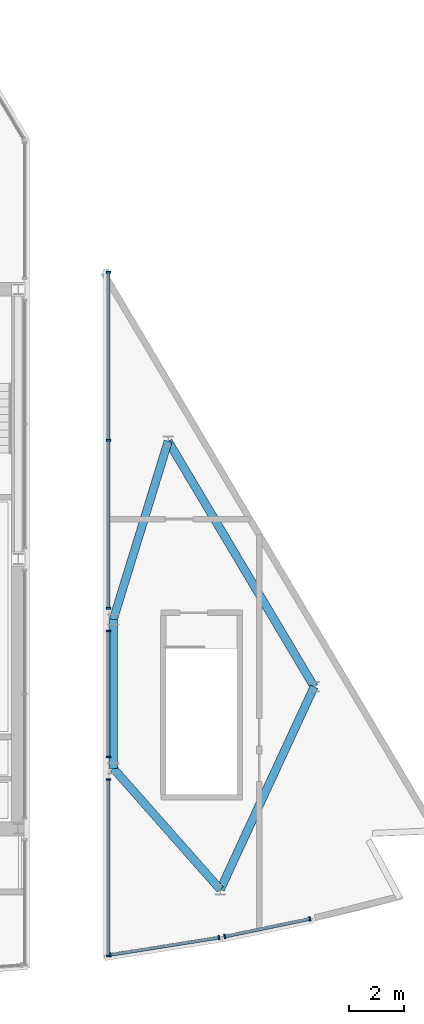
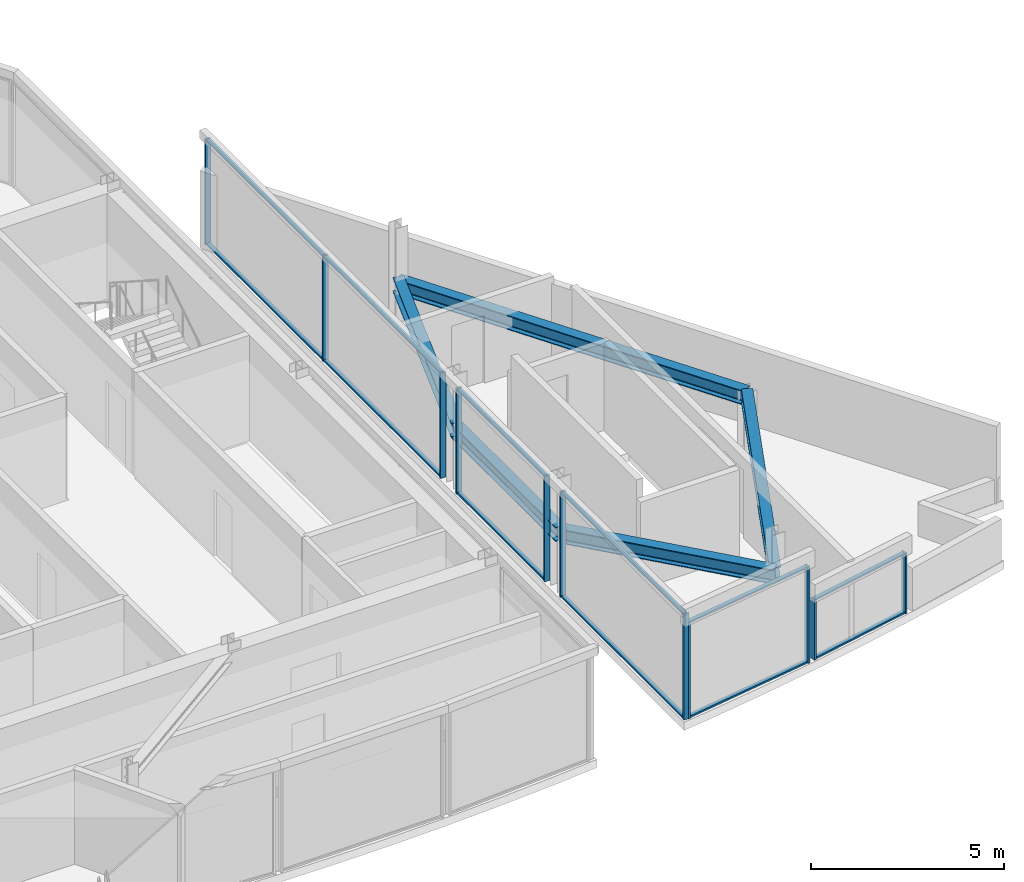
# One storey, part 5 of 13: 23 members, 5 beams, 5 elements without a shape of their own.
"""IFC4 building model written with IfcOpenShell, lengths in metres."""

from ifc_helpers import new_model, si_unit, direction, frame, origin, origin_2d, place, context, subcontext, project, spatial, rectangle, i_section, extrude, material, material_profile, profile_set, type_object, element, aggregate, save


model = new_model("IFC4")

# Units and contexts
model_context = context("Model", 3, precision=1e-05, world=origin(), true_north=direction((0.0, 1.0)))
body_context = subcontext(model_context, "Body", "Model", "MODEL_VIEW")
ifc_project = project(units=[si_unit("LENGTHUNIT", "METRE"), si_unit("AREAUNIT", "SQUARE_METRE"), si_unit("VOLUMEUNIT", "CUBIC_METRE"), si_unit("PLANEANGLEUNIT", "RADIAN"), si_unit("MASSUNIT", "GRAM", prefix="KILO")], contexts=[model_context])

# Site, building, storey
site_placement = place(None, origin())
site = spatial("IfcSite", under=ifc_project, at=site_placement, CompositionType="ELEMENT")
building_placement = place(site_placement, origin())
building = spatial("IfcBuilding", under=site, at=building_placement, Name="Savorim Split Tower", CompositionType="ELEMENT")
storey_placement = place(building_placement, frame((0.0, 0.0, 312.0)))
storey = spatial("IfcBuildingStorey", under=building, at=storey_placement, Name="Crown L83 Plant", CompositionType="ELEMENT", Elevation=312.0)

# Beams
ifc_material_1 = material(Name="Steel S355", Category="steel")
ifc_material_profile_1 = material_profile(ifc_material_1, i_section(OverallWidth=0.300048828125, OverallDepth=0.449951171875, WebThickness=0.013916015625, FlangeThickness=0.02587890625, FilletRadius=0.027099609375, at=origin_2d()), Name="HEB 450")
ifc_profile_set_1 = profile_set([ifc_material_profile_1], Name="Steel S355")
beam_type = type_object("IfcBeamType", Name="BM-PRI-HEB450", PredefinedType="BEAM", material=ifc_profile_set_1)
beam_1_placement = place(storey_placement, frame((11.14990234375, -1.800048828125, 1.694580078125), z_axis=(0.0, -1.0, 0.0), x_axis=(1.0, 0.0, 0.0)))
element("IfcBeam", 1, at=beam_1_placement, inside=storey, type_object=beam_type, Name="Crown L83 Plant East Crown Beam EBG-1", PredefinedType="BEAM", context=body_context, shape_type="SweptSolid", body=[
    extrude(i_section(OverallWidth=0.300048828125, OverallDepth=0.449951171875, WebThickness=0.013916015625, FlangeThickness=0.02587890625, FilletRadius=0.027099609375, at=origin_2d()), origin(), (0.0, 0.0, 1.0), 5.39990234375),
])
beam_2_placement = place(storey_placement, frame((11.14990234375, -7.199951171875, 1.694580078125), z_axis=(0.661950206721, -0.749547812899, 0.0), x_axis=(0.749547812899, 0.661950206721, 0.0)))
element("IfcBeam", 2, at=beam_2_placement, inside=storey, type_object=beam_type, Name="Crown L83 Plant East Crown Beam EBG-2", PredefinedType="BEAM", context=body_context, shape_type="SweptSolid", body=[
    extrude(i_section(OverallWidth=0.300048828125, OverallDepth=0.449951171875, WebThickness=0.013916015625, FlangeThickness=0.02587890625, FilletRadius=0.027099609375, at=origin_2d()), origin(), (0.0, 0.0, 1.0), 5.872314453125),
])
beam_3_placement = place(storey_placement, frame((15.037109375, -11.6015625, 1.694580078125), z_axis=(0.420180016877, 0.9074407713, 0.0), x_axis=(-0.9074407713, 0.420180016877, 0.0)))
element("IfcBeam", 3, at=beam_3_placement, inside=storey, type_object=beam_type, Name="Crown L83 Plant East Crown Beam EBG-3", PredefinedType="BEAM", context=body_context, shape_type="SweptSolid", body=[
    extrude(i_section(OverallWidth=0.300048828125, OverallDepth=0.449951171875, WebThickness=0.013916015625, FlangeThickness=0.02587890625, FilletRadius=0.027099609375, at=origin_2d()), origin(), (0.0, 0.0, 1.0), 8.112548828125),
])
beam_4_placement = place(storey_placement, frame((18.44580078125, -4.239990234375, 1.694580078125), z_axis=(-0.511103121152, 0.859519400333, 0.0), x_axis=(-0.859519400333, -0.511103121152, 0.0)))
element("IfcBeam", 4, at=beam_4_placement, inside=storey, type_object=beam_type, Name="Crown L83 Plant East Crown Beam EBG-4", PredefinedType="BEAM", context=body_context, shape_type="SweptSolid", body=[
    extrude(i_section(OverallWidth=0.300048828125, OverallDepth=0.449951171875, WebThickness=0.013916015625, FlangeThickness=0.02587890625, FilletRadius=0.027099609375, at=origin_2d()), origin(), (0.0, 0.0, 1.0), 10.372802734375),
])
beam_5_placement = place(storey_placement, frame((11.14990234375, -1.800048828125, 1.694580078125), z_axis=(0.294341564788, 0.955700289441, 0.0), x_axis=(-0.955700289441, 0.294341564788, 0.0)))
element("IfcBeam", 5, at=beam_5_placement, inside=storey, type_object=beam_type, Name="Crown L83 Plant East Crown Perimeter Tie Beam", PredefinedType="BEAM", context=body_context, shape_type="SweptSolid", body=[
    extrude(i_section(OverallWidth=0.300048828125, OverallDepth=0.449951171875, WebThickness=0.013916015625, FlangeThickness=0.02587890625, FilletRadius=0.027099609375, at=origin_2d()), origin(), (0.0, 0.0, 1.0), 6.775634765625),
])

# Curtain wall, members
ifc_material_2 = material(Name="Dark Ceramic-Fritted Insulated Glass", Category="glass")
curtain_wall_type = type_object("IfcCurtainWallType", Name="CW-CROWN-CREST", PredefinedType="NOTDEFINED", material=ifc_material_2)
curtain_wall_1_placement = place(storey_placement, origin())
curtain_wall_1 = element("IfcCurtainWall", 6, at=curtain_wall_1_placement, inside=storey, type_object=curtain_wall_type, Name="Crown L83 Plant Curtain Wall CW-Crown-L83-Plant-E1AS1", PredefinedType="NOTDEFINED")
ifc_material_3 = material(Name="Charcoal Anodised Aluminium", Category="aluminium")
ifc_material_profile_2 = material_profile(ifc_material_3, rectangle(XDim=0.159912109375, YDim=0.06005859375, at=origin_2d()), Name="ALU-M 160x60")
ifc_profile_set_2 = profile_set([ifc_material_profile_2], Name="Charcoal Anodised Aluminium")
member_type_1 = type_object("IfcMemberType", Name="CWM-160x60", PredefinedType="MULLION", material=ifc_profile_set_2)
member_1_placement = place(storey_placement, frame((10.969970703125, 10.81591796875, 0.0), z_axis=(0.0, 0.0, 1.0), x_axis=(1.0, 0.0, 0.0)))
member_1 = element("IfcMember", 7, at=member_1_placement, type_object=member_type_1, Name="CW-07 mullion 1", PredefinedType="MULLION", context=body_context, shape_type="SweptSolid", body=[
    extrude(rectangle(XDim=0.159912109375, YDim=0.06005859375, at=origin_2d()), origin(), (0.0, 0.0, 1.0), 3.340087890625),
])
member_2_placement = place(storey_placement, frame((10.969970703125, 4.712890625, 0.0), z_axis=(0.0, 0.0, 1.0), x_axis=(1.0, 0.0, 0.0)))
member_2 = element("IfcMember", 8, at=member_2_placement, type_object=member_type_1, Name="CW-07 mullion 2", PredefinedType="MULLION", context=body_context, shape_type="SweptSolid", body=[
    extrude(rectangle(XDim=0.159912109375, YDim=0.06005859375, at=origin_2d()), origin(), (0.0, 0.0, 1.0), 3.340087890625),
])
member_3_placement = place(storey_placement, frame((10.969970703125, -1.389892578125, 0.0), z_axis=(0.0, 0.0, 1.0), x_axis=(1.0, 0.0, 0.0)))
member_3 = element("IfcMember", 9, at=member_3_placement, type_object=member_type_1, Name="CW-07 mullion 3", PredefinedType="MULLION", context=body_context, shape_type="SweptSolid", body=[
    extrude(rectangle(XDim=0.159912109375, YDim=0.06005859375, at=origin_2d()), origin(), (0.0, 0.0, 1.0), 3.340087890625),
])

curtain_wall_2_placement = place(storey_placement, origin())
curtain_wall_2 = element("IfcCurtainWall", 10, at=curtain_wall_2_placement, inside=storey, type_object=curtain_wall_type, Name="Crown L83 Plant Curtain Wall CW-Crown-L83-Plant-E1AS2", PredefinedType="NOTDEFINED")
member_4_placement = place(storey_placement, frame((10.969970703125, -2.2099609375, 0.0), z_axis=(0.0, 0.0, 1.0), x_axis=(1.0, 0.0, 0.0)))
member_4 = element("IfcMember", 11, at=member_4_placement, type_object=member_type_1, Name="CW-07 mullion 1", PredefinedType="MULLION", context=body_context, shape_type="SweptSolid", body=[
    extrude(rectangle(XDim=0.159912109375, YDim=0.06005859375, at=origin_2d()), origin(), (0.0, 0.0, 1.0), 3.340087890625),
])
member_5_placement = place(storey_placement, frame((10.969970703125, -6.7900390625, 0.0), z_axis=(0.0, 0.0, 1.0), x_axis=(1.0, 0.0, 0.0)))
member_5 = element("IfcMember", 12, at=member_5_placement, type_object=member_type_1, Name="CW-07 mullion 2", PredefinedType="MULLION", context=body_context, shape_type="SweptSolid", body=[
    extrude(rectangle(XDim=0.159912109375, YDim=0.06005859375, at=origin_2d()), origin(), (0.0, 0.0, 1.0), 3.340087890625),
])

curtain_wall_3_placement = place(storey_placement, origin())
curtain_wall_3 = element("IfcCurtainWall", 13, at=curtain_wall_3_placement, inside=storey, type_object=curtain_wall_type, Name="Crown L83 Plant Curtain Wall CW-Crown-L83-Plant-E1AS3", PredefinedType="NOTDEFINED")
member_6_placement = place(storey_placement, frame((10.969970703125, -7.610107421875, 0.0), z_axis=(0.0, 0.0, 1.0), x_axis=(1.0, 0.0, 0.0)))
member_6 = element("IfcMember", 14, at=member_6_placement, type_object=member_type_1, Name="CW-07 mullion 1", PredefinedType="MULLION", context=body_context, shape_type="SweptSolid", body=[
    extrude(rectangle(XDim=0.159912109375, YDim=0.06005859375, at=origin_2d()), origin(), (0.0, 0.0, 1.0), 3.340087890625),
])
member_7_placement = place(storey_placement, frame((10.969970703125, -14.014892578125, 0.0), z_axis=(0.0, 0.0, 1.0), x_axis=(1.0, 0.0, 0.0)))
member_7 = element("IfcMember", 15, at=member_7_placement, type_object=member_type_1, Name="CW-07 mullion 2", PredefinedType="MULLION", context=body_context, shape_type="SweptSolid", body=[
    extrude(rectangle(XDim=0.159912109375, YDim=0.06005859375, at=origin_2d()), origin(), (0.0, 0.0, 1.0), 3.340087890625),
])

curtain_wall_4_placement = place(storey_placement, origin())
curtain_wall_4 = element("IfcCurtainWall", 16, at=curtain_wall_4_placement, inside=storey, type_object=curtain_wall_type, Name="Crown L83 Plant Curtain Wall CW-Crown-L83-Plant-E2A", PredefinedType="NOTDEFINED")
member_8_placement = place(storey_placement, frame((11.04345703125, -13.972900390625, 0.0), z_axis=(0.0, 0.0, 1.0), x_axis=(-0.156398461993, 0.987694042245, 0.0)))
member_8 = element("IfcMember", 17, at=member_8_placement, type_object=member_type_1, Name="CW-07 mullion 1", PredefinedType="MULLION", context=body_context, shape_type="SweptSolid", body=[
    extrude(rectangle(XDim=0.159912109375, YDim=0.06005859375, at=origin_2d()), origin(), (0.0, 0.0, 1.0), 3.052490234375),
])
member_9_placement = place(storey_placement, frame((14.98681640625, -13.348388671875, 0.0), z_axis=(0.0, 0.0, 1.0), x_axis=(-0.156398461993, 0.987694042245, 0.0)))
member_9 = element("IfcMember", 18, at=member_9_placement, type_object=member_type_1, Name="CW-07 mullion 2", PredefinedType="MULLION", context=body_context, shape_type="SweptSolid", body=[
    extrude(rectangle(XDim=0.159912109375, YDim=0.06005859375, at=origin_2d()), origin(), (0.0, 0.0, 1.0), 3.052490234375),
])

curtain_wall_5_placement = place(storey_placement, origin())
curtain_wall_5 = element("IfcCurtainWall", 19, at=curtain_wall_5_placement, inside=storey, type_object=curtain_wall_type, Name="Crown L83 Plant Curtain Wall CW-Crown-L83-Plant-E3A", PredefinedType="NOTDEFINED")
member_10_placement = place(storey_placement, frame((15.197509765625, -13.309814453125, 0.0), z_axis=(0.0, 0.0, 1.0), x_axis=(-0.203163611574, 0.979144803863, 0.0)))
member_10 = element("IfcMember", 20, at=member_10_placement, type_object=member_type_1, Name="CW-07 mullion 1", PredefinedType="MULLION", context=body_context, shape_type="SweptSolid", body=[
    extrude(rectangle(XDim=0.159912109375, YDim=0.06005859375, at=origin_2d()), origin(), (0.0, 0.0, 1.0), 1.913330078125),
])
member_11_placement = place(storey_placement, frame((18.289306640625, -12.66845703125, 0.0), z_axis=(0.0, 0.0, 1.0), x_axis=(-0.203163611574, 0.979144803863, 0.0)))
member_11 = element("IfcMember", 21, at=member_11_placement, type_object=member_type_1, Name="CW-07 mullion 2", PredefinedType="MULLION", context=body_context, shape_type="SweptSolid", body=[
    extrude(rectangle(XDim=0.159912109375, YDim=0.06005859375, at=origin_2d()), origin(), (0.0, 0.0, 1.0), 1.913330078125),
])

# Member
ifc_material_profile_3 = material_profile(ifc_material_3, rectangle(XDim=0.1201171875, YDim=0.050048828125, at=origin_2d()), Name="ALU-T 120x50")
ifc_profile_set_3 = profile_set([ifc_material_profile_3], Name="Charcoal Anodised Aluminium")
member_type_2 = type_object("IfcMemberType", Name="CWT-120x50", PredefinedType="USERDEFINED", material=ifc_profile_set_3)
member_12_placement = place(storey_placement, frame((10.969970703125, 10.785888671875, 0.02490234375), z_axis=(0.0, -1.0, 0.0), x_axis=(1.0, 0.0, 0.0)))
member_12 = element("IfcMember", 22, at=member_12_placement, type_object=member_type_2, Name="CW-07 transom 1.1", ObjectType="TRANSOM", PredefinedType="USERDEFINED", context=body_context, shape_type="SweptSolid", body=[
    extrude(rectangle(XDim=0.1201171875, YDim=0.050048828125, at=origin_2d()), origin(), (0.0, 0.0, 1.0), 6.04296875),
])

member_13_placement = place(storey_placement, frame((10.969970703125, 10.785888671875, 3.31494140625), z_axis=(0.0, -1.0, 0.0), x_axis=(1.0, 0.0, 0.0)))
member_13 = element("IfcMember", 23, at=member_13_placement, type_object=member_type_2, Name="CW-07 transom 1.2", ObjectType="TRANSOM", PredefinedType="USERDEFINED", context=body_context, shape_type="SweptSolid", body=[
    extrude(rectangle(XDim=0.1201171875, YDim=0.050048828125, at=origin_2d()), origin(), (0.0, 0.0, 1.0), 6.04296875),
])

member_14_placement = place(storey_placement, frame((10.969970703125, 4.682861328125, 0.02490234375), z_axis=(0.0, -1.0, 0.0), x_axis=(1.0, 0.0, 0.0)))
member_14 = element("IfcMember", 24, at=member_14_placement, type_object=member_type_2, Name="CW-07 transom 2.1", ObjectType="TRANSOM", PredefinedType="USERDEFINED", context=body_context, shape_type="SweptSolid", body=[
    extrude(rectangle(XDim=0.1201171875, YDim=0.050048828125, at=origin_2d()), origin(), (0.0, 0.0, 1.0), 6.04296875),
])

member_15_placement = place(storey_placement, frame((10.969970703125, 4.682861328125, 3.31494140625), z_axis=(0.0, -1.0, 0.0), x_axis=(1.0, 0.0, 0.0)))
member_15 = element("IfcMember", 25, at=member_15_placement, type_object=member_type_2, Name="CW-07 transom 2.2", ObjectType="TRANSOM", PredefinedType="USERDEFINED", context=body_context, shape_type="SweptSolid", body=[
    extrude(rectangle(XDim=0.1201171875, YDim=0.050048828125, at=origin_2d()), origin(), (0.0, 0.0, 1.0), 6.04296875),
])

aggregate(curtain_wall_1, [member_1, member_2, member_3, member_12, member_13, member_14, member_15])

member_16_placement = place(storey_placement, frame((10.969970703125, -2.239990234375, 0.02490234375), z_axis=(0.0, -1.0, 0.0), x_axis=(1.0, 0.0, 0.0)))
member_16 = element("IfcMember", 26, at=member_16_placement, type_object=member_type_2, Name="CW-07 transom 1.1", ObjectType="TRANSOM", PredefinedType="USERDEFINED", context=body_context, shape_type="SweptSolid", body=[
    extrude(rectangle(XDim=0.1201171875, YDim=0.050048828125, at=origin_2d()), origin(), (0.0, 0.0, 1.0), 4.52001953125),
])

member_17_placement = place(storey_placement, frame((10.969970703125, -2.239990234375, 3.31494140625), z_axis=(0.0, -1.0, 0.0), x_axis=(1.0, 0.0, 0.0)))
member_17 = element("IfcMember", 27, at=member_17_placement, type_object=member_type_2, Name="CW-07 transom 1.2", ObjectType="TRANSOM", PredefinedType="USERDEFINED", context=body_context, shape_type="SweptSolid", body=[
    extrude(rectangle(XDim=0.1201171875, YDim=0.050048828125, at=origin_2d()), origin(), (0.0, 0.0, 1.0), 4.52001953125),
])

aggregate(curtain_wall_2, [member_4, member_5, member_16, member_17])

member_18_placement = place(storey_placement, frame((10.969970703125, -7.639892578125, 0.02490234375), z_axis=(0.0, -1.0, 0.0), x_axis=(1.0, 0.0, 0.0)))
member_18 = element("IfcMember", 28, at=member_18_placement, type_object=member_type_2, Name="CW-07 transom 1.1", ObjectType="TRANSOM", PredefinedType="USERDEFINED", context=body_context, shape_type="SweptSolid", body=[
    extrude(rectangle(XDim=0.1201171875, YDim=0.050048828125, at=origin_2d()), origin(), (0.0, 0.0, 1.0), 6.34521484375),
])

member_19_placement = place(storey_placement, frame((10.969970703125, -7.639892578125, 3.31494140625), z_axis=(0.0, -1.0, 0.0), x_axis=(1.0, 0.0, 0.0)))
member_19 = element("IfcMember", 29, at=member_19_placement, type_object=member_type_2, Name="CW-07 transom 1.2", ObjectType="TRANSOM", PredefinedType="USERDEFINED", context=body_context, shape_type="SweptSolid", body=[
    extrude(rectangle(XDim=0.1201171875, YDim=0.050048828125, at=origin_2d()), origin(), (0.0, 0.0, 1.0), 6.34521484375),
])

aggregate(curtain_wall_3, [member_6, member_7, member_18, member_19])

member_20_placement = place(storey_placement, frame((11.0732421875, -13.96826171875, 0.02490234375), z_axis=(0.987695419447, 0.156389764384, 0.0), x_axis=(-0.156389764384, 0.987695419447, 0.0)))
member_20 = element("IfcMember", 30, at=member_20_placement, type_object=member_type_2, Name="CW-07 transom 1.1", ObjectType="TRANSOM", PredefinedType="USERDEFINED", context=body_context, shape_type="SweptSolid", body=[
    extrude(rectangle(XDim=0.1201171875, YDim=0.050048828125, at=origin_2d()), origin(), (0.0, 0.0, 1.0), 3.932373046875),
])

member_21_placement = place(storey_placement, frame((11.0732421875, -13.96826171875, 3.027587890625), z_axis=(0.987695419447, 0.156389764384, 0.0), x_axis=(-0.156389764384, 0.987695419447, 0.0)))
member_21 = element("IfcMember", 31, at=member_21_placement, type_object=member_type_2, Name="CW-07 transom 1.2", ObjectType="TRANSOM", PredefinedType="USERDEFINED", context=body_context, shape_type="SweptSolid", body=[
    extrude(rectangle(XDim=0.1201171875, YDim=0.050048828125, at=origin_2d()), origin(), (0.0, 0.0, 1.0), 3.932373046875),
])

aggregate(curtain_wall_4, [member_8, member_9, member_20, member_21])

member_22_placement = place(storey_placement, frame((15.22705078125, -13.3037109375, 0.02490234375), z_axis=(0.979155137137, 0.203113804105, 0.0), x_axis=(-0.203113804105, 0.979155137137, 0.0)))
member_22 = element("IfcMember", 32, at=member_22_placement, type_object=member_type_2, Name="CW-07 transom 1.1", ObjectType="TRANSOM", PredefinedType="USERDEFINED", context=body_context, shape_type="SweptSolid", body=[
    extrude(rectangle(XDim=0.1201171875, YDim=0.050048828125, at=origin_2d()), origin(), (0.0, 0.0, 1.0), 3.097412109375),
])

member_23_placement = place(storey_placement, frame((15.22705078125, -13.3037109375, 1.88818359375), z_axis=(0.979155137137, 0.203113804105, 0.0), x_axis=(-0.203113804105, 0.979155137137, 0.0)))
member_23 = element("IfcMember", 33, at=member_23_placement, type_object=member_type_2, Name="CW-07 transom 1.2", ObjectType="TRANSOM", PredefinedType="USERDEFINED", context=body_context, shape_type="SweptSolid", body=[
    extrude(rectangle(XDim=0.1201171875, YDim=0.050048828125, at=origin_2d()), origin(), (0.0, 0.0, 1.0), 3.097412109375),
])

aggregate(curtain_wall_5, [member_10, member_11, member_22, member_23])

save(model, "model.ifc")
